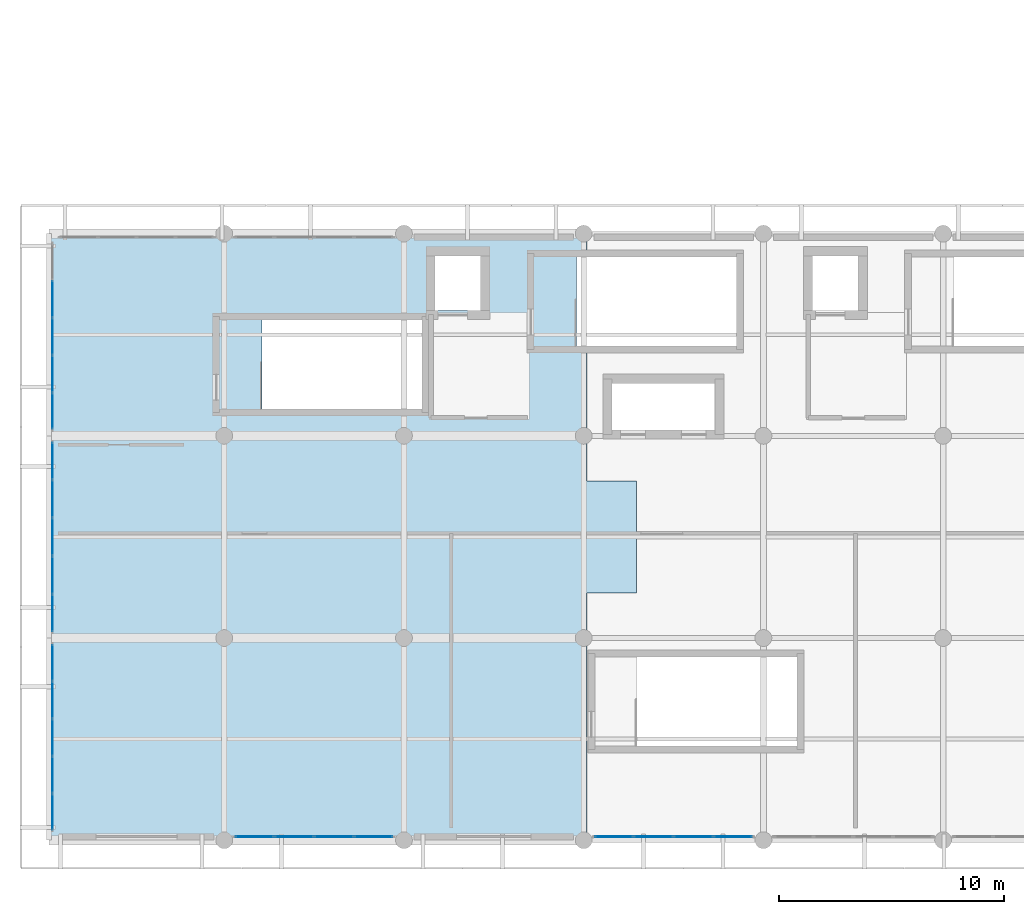
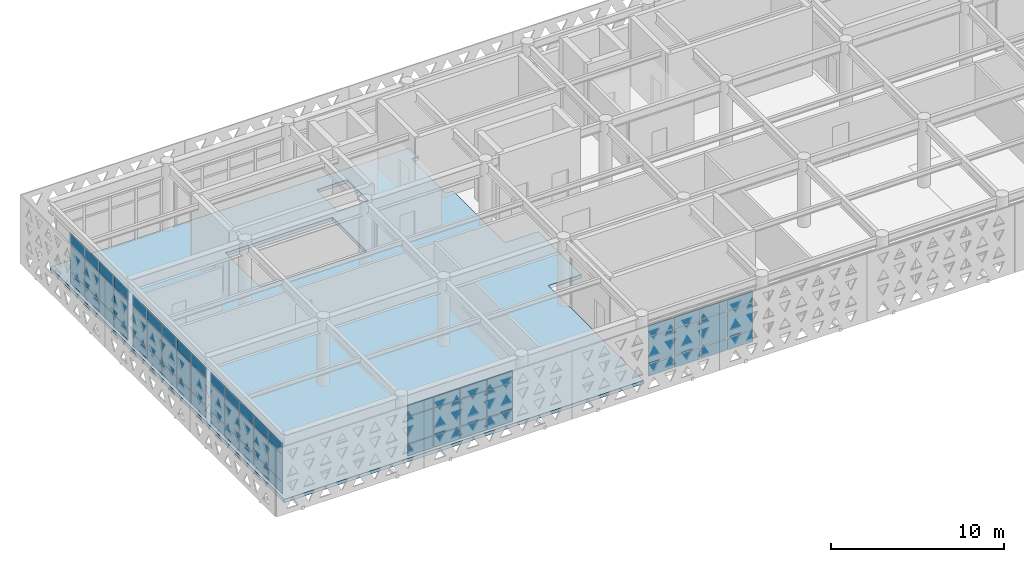
# One storey, part 14 of 26: 66 plates, 1 slab, 5 elements without a shape of their own.
"""IFC4 building model written with IfcOpenShell, lengths in metres."""

from ifc_helpers import new_model, si_unit, direction, frame, origin, origin_2d, place, context, subcontext, project, spatial, polyline, rectangle, outline, extrude, material, layer, layer_set, type_object, element, aggregate, save


model = new_model("IFC4")

# Units and contexts
model_context = context("Model", 3, precision=1e-05, world=origin(), true_north=direction((0.0, 1.0)))
body_context = subcontext(model_context, "Body", "Model", "MODEL_VIEW")
ifc_project = project(units=[si_unit("LENGTHUNIT", "METRE"), si_unit("AREAUNIT", "SQUARE_METRE"), si_unit("VOLUMEUNIT", "CUBIC_METRE"), si_unit("PLANEANGLEUNIT", "RADIAN"), si_unit("MASSUNIT", "GRAM", prefix="KILO")], contexts=[model_context])

# Site, building, storey
site_placement = place(None, origin())
site = spatial("IfcSite", under=ifc_project, at=site_placement, CompositionType="ELEMENT")
building_placement = place(site_placement, origin())
building = spatial("IfcBuilding", under=site, at=building_placement, Name="Tlacozan Convention Centre", CompositionType="ELEMENT")
storey_placement = place(building_placement, frame((0.0, 0.0, 21.0)))
storey = spatial("IfcBuildingStorey", under=building, at=storey_placement, Name="L04", CompositionType="ELEMENT", Elevation=21.0)

# Slab
ifc_material_1 = material(Name="Concrete C40/50", Category="concrete")
ifc_layer_1 = layer(ifc_material_1, 0.239990234375)
ifc_layer_set_1 = layer_set([ifc_layer_1], Name="Concrete C40/50")
slab_type = type_object("IfcSlabType", Name="Belvedere Congress Floor Slab 240", PredefinedType="FLOOR", material=ifc_layer_set_1)
slab_placement = place(storey_placement, frame((0.0, 0.0, -0.239990234375)))
element("IfcSlab", 1, at=slab_placement, inside=storey, type_object=slab_type, Name="L04 Belvedere Congress Floor Slab 240 84", PredefinedType="FLOOR", context=body_context, shape_type="SweptSolid", body=[
    extrude(outline(polyline([(0.199951171875, 0.0), (0.199951171875, 27.0), (24.14990234375, 27.0), (24.14990234375, 25.9599609375), (23.679931640625, 25.9599609375), (23.679931640625, 22.0), (24.14990234375, 22.0), (24.14990234375, 16.0), (26.35009765625, 16.0), (26.35009765625, 11.0), (24.14990234375, 11.0), (24.14990234375, 0.0), (0.199951171875, 0.0)]), holes=[polyline([(16.800048828125, 23.159912109375), (9.679931640625, 23.159912109375), (9.679931640625, 19.199951171875), (16.800048828125, 19.199951171875), (16.800048828125, 23.159912109375)]), polyline([(19.419921875, 26.02001953125), (17.3798828125, 26.02001953125), (17.3798828125, 23.580078125), (19.419921875, 23.580078125), (19.419921875, 26.02001953125)])]), origin(), (0.0, 0.0, 1.0), 0.239990234375),
])

# Curtain wall, plates
ifc_material_2 = material(Name="Dark Bronze Anodised Aluminium", Category="aluminium")
ifc_layer_2 = layer(ifc_material_2, 0.159912109375)
ifc_layer_set_2 = layer_set([ifc_layer_2], Name="Dark Bronze Anodised Aluminium")
curtain_wall_type_1 = type_object("IfcCurtainWallType", Name="Unitised Congress Gable End CW06", PredefinedType="NOTDEFINED", material=ifc_layer_set_2)
curtain_wall_1_placement = place(storey_placement, origin())
curtain_wall_1 = element("IfcCurtainWall", 2, at=curtain_wall_1_placement, inside=storey, type_object=curtain_wall_type_1, Name="L04 CW-06 Run 138", PredefinedType="NOTDEFINED")
ifc_material_3 = material(Name="Solar Control Double Low-E Argon Glazing", Category="glass")
ifc_layer_3 = layer(ifc_material_3, 0.02001953125)
ifc_layer_set_3 = layer_set([ifc_layer_3], Name="Solar Control Double Low-E Argon Glazing")
plate_type_1 = type_object("IfcPlateType", Name="Double Low-E Glazed CW Panel 20", PredefinedType="CURTAIN_PANEL", material=ifc_layer_set_3)
plate_1_placement = place(storey_placement, frame((0.360107421875, 1.259033203125, 0.06005859375), z_axis=(0.0, 0.0, 1.0), x_axis=(0.0, 1.0, 0.0)))
plate_1 = element("IfcPlate", 3, at=plate_1_placement, type_object=plate_type_1, Name="CW-06 panel 1.1", PredefinedType="CURTAIN_PANEL", context=body_context, shape_type="SweptSolid", body=[
    extrude(rectangle(XDim=1.577880859375, YDim=0.02001953125, at=origin_2d()), origin(), (0.0, 0.0, 1.0), 0.81005859375),
])
plate_2_placement = place(storey_placement, frame((0.360107421875, 1.259033203125, 0.929931640625), z_axis=(0.0, 0.0, 1.0), x_axis=(0.0, 1.0, 0.0)))
plate_2 = element("IfcPlate", 4, at=plate_2_placement, type_object=plate_type_1, Name="CW-06 panel 1.2", PredefinedType="CURTAIN_PANEL", context=body_context, shape_type="SweptSolid", body=[
    extrude(rectangle(XDim=1.577880859375, YDim=0.02001953125, at=origin_2d()), origin(), (0.0, 0.0, 1.0), 1.8701171875),
])
plate_3_placement = place(storey_placement, frame((0.360107421875, 1.259033203125, 2.85986328125), z_axis=(0.0, 0.0, 1.0), x_axis=(0.0, 1.0, 0.0)))
plate_3 = element("IfcPlate", 5, at=plate_3_placement, type_object=plate_type_1, Name="CW-06 panel 1.3", PredefinedType="CURTAIN_PANEL", context=body_context, shape_type="SweptSolid", body=[
    extrude(rectangle(XDim=1.577880859375, YDim=0.02001953125, at=origin_2d()), origin(), (0.0, 0.0, 1.0), 0.760009765625),
])
plate_4_placement = place(storey_placement, frame((0.360107421875, 2.912109375, 0.06005859375), z_axis=(0.0, 0.0, 1.0), x_axis=(0.0, 1.0, 0.0)))
plate_4 = element("IfcPlate", 6, at=plate_4_placement, type_object=plate_type_1, Name="CW-06 panel 2.1", PredefinedType="CURTAIN_PANEL", context=body_context, shape_type="SweptSolid", body=[
    extrude(rectangle(XDim=1.60791015625, YDim=0.02001953125, at=origin_2d()), origin(), (0.0, 0.0, 1.0), 0.81005859375),
])
plate_5_placement = place(storey_placement, frame((0.360107421875, 2.912109375, 0.929931640625), z_axis=(0.0, 0.0, 1.0), x_axis=(0.0, 1.0, 0.0)))
plate_5 = element("IfcPlate", 7, at=plate_5_placement, type_object=plate_type_1, Name="CW-06 panel 2.2", PredefinedType="CURTAIN_PANEL", context=body_context, shape_type="SweptSolid", body=[
    extrude(rectangle(XDim=1.60791015625, YDim=0.02001953125, at=origin_2d()), origin(), (0.0, 0.0, 1.0), 1.8701171875),
])
plate_6_placement = place(storey_placement, frame((0.360107421875, 2.912109375, 2.85986328125), z_axis=(0.0, 0.0, 1.0), x_axis=(0.0, 1.0, 0.0)))
plate_6 = element("IfcPlate", 8, at=plate_6_placement, type_object=plate_type_1, Name="CW-06 panel 2.3", PredefinedType="CURTAIN_PANEL", context=body_context, shape_type="SweptSolid", body=[
    extrude(rectangle(XDim=1.60791015625, YDim=0.02001953125, at=origin_2d()), origin(), (0.0, 0.0, 1.0), 0.760009765625),
])
plate_7_placement = place(storey_placement, frame((0.360107421875, 4.580078125, 0.06005859375), z_axis=(0.0, 0.0, 1.0), x_axis=(0.0, 1.0, 0.0)))
plate_7 = element("IfcPlate", 9, at=plate_7_placement, type_object=plate_type_1, Name="CW-06 panel 3.1", PredefinedType="CURTAIN_PANEL", context=body_context, shape_type="SweptSolid", body=[
    extrude(rectangle(XDim=1.60791015625, YDim=0.02001953125, at=origin_2d()), origin(), (0.0, 0.0, 1.0), 0.81005859375),
])
plate_8_placement = place(storey_placement, frame((0.360107421875, 4.580078125, 0.929931640625), z_axis=(0.0, 0.0, 1.0), x_axis=(0.0, 1.0, 0.0)))
plate_8 = element("IfcPlate", 10, at=plate_8_placement, type_object=plate_type_1, Name="CW-06 panel 3.2", PredefinedType="CURTAIN_PANEL", context=body_context, shape_type="SweptSolid", body=[
    extrude(rectangle(XDim=1.60791015625, YDim=0.02001953125, at=origin_2d()), origin(), (0.0, 0.0, 1.0), 1.8701171875),
])
plate_9_placement = place(storey_placement, frame((0.360107421875, 4.580078125, 2.85986328125), z_axis=(0.0, 0.0, 1.0), x_axis=(0.0, 1.0, 0.0)))
plate_9 = element("IfcPlate", 11, at=plate_9_placement, type_object=plate_type_1, Name="CW-06 panel 3.3", PredefinedType="CURTAIN_PANEL", context=body_context, shape_type="SweptSolid", body=[
    extrude(rectangle(XDim=1.60791015625, YDim=0.02001953125, at=origin_2d()), origin(), (0.0, 0.0, 1.0), 0.760009765625),
])
plate_10_placement = place(storey_placement, frame((0.360107421875, 6.248046875, 0.06005859375), z_axis=(0.0, 0.0, 1.0), x_axis=(0.0, 1.0, 0.0)))
plate_10 = element("IfcPlate", 12, at=plate_10_placement, type_object=plate_type_1, Name="CW-06 panel 4.1", PredefinedType="CURTAIN_PANEL", context=body_context, shape_type="SweptSolid", body=[
    extrude(rectangle(XDim=1.60791015625, YDim=0.02001953125, at=origin_2d()), origin(), (0.0, 0.0, 1.0), 0.81005859375),
])
plate_11_placement = place(storey_placement, frame((0.360107421875, 6.248046875, 0.929931640625), z_axis=(0.0, 0.0, 1.0), x_axis=(0.0, 1.0, 0.0)))
plate_11 = element("IfcPlate", 13, at=plate_11_placement, type_object=plate_type_1, Name="CW-06 panel 4.2", PredefinedType="CURTAIN_PANEL", context=body_context, shape_type="SweptSolid", body=[
    extrude(rectangle(XDim=1.60791015625, YDim=0.02001953125, at=origin_2d()), origin(), (0.0, 0.0, 1.0), 1.8701171875),
])
plate_12_placement = place(storey_placement, frame((0.360107421875, 6.248046875, 2.85986328125), z_axis=(0.0, 0.0, 1.0), x_axis=(0.0, 1.0, 0.0)))
plate_12 = element("IfcPlate", 14, at=plate_12_placement, type_object=plate_type_1, Name="CW-06 panel 4.3", PredefinedType="CURTAIN_PANEL", context=body_context, shape_type="SweptSolid", body=[
    extrude(rectangle(XDim=1.60791015625, YDim=0.02001953125, at=origin_2d()), origin(), (0.0, 0.0, 1.0), 0.760009765625),
])
plate_13_placement = place(storey_placement, frame((0.360107421875, 7.90087890625, 0.06005859375), z_axis=(0.0, 0.0, 1.0), x_axis=(0.0, 1.0, 0.0)))
plate_13 = element("IfcPlate", 15, at=plate_13_placement, type_object=plate_type_1, Name="CW-06 panel 5.1", PredefinedType="CURTAIN_PANEL", context=body_context, shape_type="SweptSolid", body=[
    extrude(rectangle(XDim=1.577880859375, YDim=0.02001953125, at=origin_2d()), origin(), (0.0, 0.0, 1.0), 0.81005859375),
])
plate_14_placement = place(storey_placement, frame((0.360107421875, 7.90087890625, 0.929931640625), z_axis=(0.0, 0.0, 1.0), x_axis=(0.0, 1.0, 0.0)))
plate_14 = element("IfcPlate", 16, at=plate_14_placement, type_object=plate_type_1, Name="CW-06 panel 5.2", PredefinedType="CURTAIN_PANEL", context=body_context, shape_type="SweptSolid", body=[
    extrude(rectangle(XDim=1.577880859375, YDim=0.02001953125, at=origin_2d()), origin(), (0.0, 0.0, 1.0), 1.8701171875),
])
plate_15_placement = place(storey_placement, frame((0.360107421875, 7.90087890625, 2.85986328125), z_axis=(0.0, 0.0, 1.0), x_axis=(0.0, 1.0, 0.0)))
plate_15 = element("IfcPlate", 17, at=plate_15_placement, type_object=plate_type_1, Name="CW-06 panel 5.3", PredefinedType="CURTAIN_PANEL", context=body_context, shape_type="SweptSolid", body=[
    extrude(rectangle(XDim=1.577880859375, YDim=0.02001953125, at=origin_2d()), origin(), (0.0, 0.0, 1.0), 0.760009765625),
])
aggregate(curtain_wall_1, [plate_1, plate_2, plate_3, plate_4, plate_5, plate_6, plate_7, plate_8, plate_9, plate_10, plate_11, plate_12, plate_13, plate_14, plate_15])

curtain_wall_2_placement = place(storey_placement, origin())
curtain_wall_2 = element("IfcCurtainWall", 18, at=curtain_wall_2_placement, inside=storey, type_object=curtain_wall_type_1, Name="L04 CW-06 Run 139", PredefinedType="NOTDEFINED")
plate_16_placement = place(storey_placement, frame((0.360107421875, 10.114990234375, 0.06005859375), z_axis=(0.0, 0.0, 1.0), x_axis=(0.0, 1.0, 0.0)))
plate_16 = element("IfcPlate", 19, at=plate_16_placement, type_object=plate_type_1, Name="CW-06 panel 1.1", PredefinedType="CURTAIN_PANEL", context=body_context, shape_type="SweptSolid", body=[
    extrude(rectangle(XDim=1.610107421875, YDim=0.02001953125, at=origin_2d()), origin(), (0.0, 0.0, 1.0), 0.81005859375),
])
plate_17_placement = place(storey_placement, frame((0.360107421875, 10.114990234375, 0.929931640625), z_axis=(0.0, 0.0, 1.0), x_axis=(0.0, 1.0, 0.0)))
plate_17 = element("IfcPlate", 20, at=plate_17_placement, type_object=plate_type_1, Name="CW-06 panel 1.2", PredefinedType="CURTAIN_PANEL", context=body_context, shape_type="SweptSolid", body=[
    extrude(rectangle(XDim=1.610107421875, YDim=0.02001953125, at=origin_2d()), origin(), (0.0, 0.0, 1.0), 1.8701171875),
])
plate_18_placement = place(storey_placement, frame((0.360107421875, 10.114990234375, 2.85986328125), z_axis=(0.0, 0.0, 1.0), x_axis=(0.0, 1.0, 0.0)))
plate_18 = element("IfcPlate", 21, at=plate_18_placement, type_object=plate_type_1, Name="CW-06 panel 1.3", PredefinedType="CURTAIN_PANEL", context=body_context, shape_type="SweptSolid", body=[
    extrude(rectangle(XDim=1.610107421875, YDim=0.02001953125, at=origin_2d()), origin(), (0.0, 0.0, 1.0), 0.760009765625),
])
plate_19_placement = place(storey_placement, frame((0.360107421875, 11.800048828125, 0.06005859375), z_axis=(0.0, 0.0, 1.0), x_axis=(0.0, 1.0, 0.0)))
plate_19 = element("IfcPlate", 22, at=plate_19_placement, type_object=plate_type_1, Name="CW-06 panel 2.1", PredefinedType="CURTAIN_PANEL", context=body_context, shape_type="SweptSolid", body=[
    extrude(rectangle(XDim=1.639892578125, YDim=0.02001953125, at=origin_2d()), origin(), (0.0, 0.0, 1.0), 0.81005859375),
])
plate_20_placement = place(storey_placement, frame((0.360107421875, 11.800048828125, 0.929931640625), z_axis=(0.0, 0.0, 1.0), x_axis=(0.0, 1.0, 0.0)))
plate_20 = element("IfcPlate", 23, at=plate_20_placement, type_object=plate_type_1, Name="CW-06 panel 2.2", PredefinedType="CURTAIN_PANEL", context=body_context, shape_type="SweptSolid", body=[
    extrude(rectangle(XDim=1.639892578125, YDim=0.02001953125, at=origin_2d()), origin(), (0.0, 0.0, 1.0), 1.8701171875),
])
plate_21_placement = place(storey_placement, frame((0.360107421875, 11.800048828125, 2.85986328125), z_axis=(0.0, 0.0, 1.0), x_axis=(0.0, 1.0, 0.0)))
plate_21 = element("IfcPlate", 24, at=plate_21_placement, type_object=plate_type_1, Name="CW-06 panel 2.3", PredefinedType="CURTAIN_PANEL", context=body_context, shape_type="SweptSolid", body=[
    extrude(rectangle(XDim=1.639892578125, YDim=0.02001953125, at=origin_2d()), origin(), (0.0, 0.0, 1.0), 0.760009765625),
])
plate_22_placement = place(storey_placement, frame((0.360107421875, 13.5, 0.06005859375), z_axis=(0.0, 0.0, 1.0), x_axis=(0.0, 1.0, 0.0)))
plate_22 = element("IfcPlate", 25, at=plate_22_placement, type_object=plate_type_1, Name="CW-06 panel 3.1", PredefinedType="CURTAIN_PANEL", context=body_context, shape_type="SweptSolid", body=[
    extrude(rectangle(XDim=1.639892578125, YDim=0.02001953125, at=origin_2d()), origin(), (0.0, 0.0, 1.0), 0.81005859375),
])
plate_23_placement = place(storey_placement, frame((0.360107421875, 13.5, 0.929931640625), z_axis=(0.0, 0.0, 1.0), x_axis=(0.0, 1.0, 0.0)))
plate_23 = element("IfcPlate", 26, at=plate_23_placement, type_object=plate_type_1, Name="CW-06 panel 3.2", PredefinedType="CURTAIN_PANEL", context=body_context, shape_type="SweptSolid", body=[
    extrude(rectangle(XDim=1.639892578125, YDim=0.02001953125, at=origin_2d()), origin(), (0.0, 0.0, 1.0), 1.8701171875),
])
plate_24_placement = place(storey_placement, frame((0.360107421875, 13.5, 2.85986328125), z_axis=(0.0, 0.0, 1.0), x_axis=(0.0, 1.0, 0.0)))
plate_24 = element("IfcPlate", 27, at=plate_24_placement, type_object=plate_type_1, Name="CW-06 panel 3.3", PredefinedType="CURTAIN_PANEL", context=body_context, shape_type="SweptSolid", body=[
    extrude(rectangle(XDim=1.639892578125, YDim=0.02001953125, at=origin_2d()), origin(), (0.0, 0.0, 1.0), 0.760009765625),
])
plate_25_placement = place(storey_placement, frame((0.360107421875, 15.199951171875, 0.06005859375), z_axis=(0.0, 0.0, 1.0), x_axis=(0.0, 1.0, 0.0)))
plate_25 = element("IfcPlate", 28, at=plate_25_placement, type_object=plate_type_1, Name="CW-06 panel 4.1", PredefinedType="CURTAIN_PANEL", context=body_context, shape_type="SweptSolid", body=[
    extrude(rectangle(XDim=1.639892578125, YDim=0.02001953125, at=origin_2d()), origin(), (0.0, 0.0, 1.0), 0.81005859375),
])
plate_26_placement = place(storey_placement, frame((0.360107421875, 15.199951171875, 0.929931640625), z_axis=(0.0, 0.0, 1.0), x_axis=(0.0, 1.0, 0.0)))
plate_26 = element("IfcPlate", 29, at=plate_26_placement, type_object=plate_type_1, Name="CW-06 panel 4.2", PredefinedType="CURTAIN_PANEL", context=body_context, shape_type="SweptSolid", body=[
    extrude(rectangle(XDim=1.639892578125, YDim=0.02001953125, at=origin_2d()), origin(), (0.0, 0.0, 1.0), 1.8701171875),
])
plate_27_placement = place(storey_placement, frame((0.360107421875, 15.199951171875, 2.85986328125), z_axis=(0.0, 0.0, 1.0), x_axis=(0.0, 1.0, 0.0)))
plate_27 = element("IfcPlate", 30, at=plate_27_placement, type_object=plate_type_1, Name="CW-06 panel 4.3", PredefinedType="CURTAIN_PANEL", context=body_context, shape_type="SweptSolid", body=[
    extrude(rectangle(XDim=1.639892578125, YDim=0.02001953125, at=origin_2d()), origin(), (0.0, 0.0, 1.0), 0.760009765625),
])
plate_28_placement = place(storey_placement, frame((0.360107421875, 16.885009765625, 0.06005859375), z_axis=(0.0, 0.0, 1.0), x_axis=(0.0, 1.0, 0.0)))
plate_28 = element("IfcPlate", 31, at=plate_28_placement, type_object=plate_type_1, Name="CW-06 panel 5.1", PredefinedType="CURTAIN_PANEL", context=body_context, shape_type="SweptSolid", body=[
    extrude(rectangle(XDim=1.610107421875, YDim=0.02001953125, at=origin_2d()), origin(), (0.0, 0.0, 1.0), 0.81005859375),
])
plate_29_placement = place(storey_placement, frame((0.360107421875, 16.885009765625, 0.929931640625), z_axis=(0.0, 0.0, 1.0), x_axis=(0.0, 1.0, 0.0)))
plate_29 = element("IfcPlate", 32, at=plate_29_placement, type_object=plate_type_1, Name="CW-06 panel 5.2", PredefinedType="CURTAIN_PANEL", context=body_context, shape_type="SweptSolid", body=[
    extrude(rectangle(XDim=1.610107421875, YDim=0.02001953125, at=origin_2d()), origin(), (0.0, 0.0, 1.0), 1.8701171875),
])
plate_30_placement = place(storey_placement, frame((0.360107421875, 16.885009765625, 2.85986328125), z_axis=(0.0, 0.0, 1.0), x_axis=(0.0, 1.0, 0.0)))
plate_30 = element("IfcPlate", 33, at=plate_30_placement, type_object=plate_type_1, Name="CW-06 panel 5.3", PredefinedType="CURTAIN_PANEL", context=body_context, shape_type="SweptSolid", body=[
    extrude(rectangle(XDim=1.610107421875, YDim=0.02001953125, at=origin_2d()), origin(), (0.0, 0.0, 1.0), 0.760009765625),
])
aggregate(curtain_wall_2, [plate_16, plate_17, plate_18, plate_19, plate_20, plate_21, plate_22, plate_23, plate_24, plate_25, plate_26, plate_27, plate_28, plate_29, plate_30])

curtain_wall_3_placement = place(storey_placement, origin())
curtain_wall_3 = element("IfcCurtainWall", 34, at=curtain_wall_3_placement, inside=storey, type_object=curtain_wall_type_1, Name="L04 CW-06 Run 140", PredefinedType="NOTDEFINED")
plate_31_placement = place(storey_placement, frame((0.360107421875, 19.09912109375, 0.06005859375), z_axis=(0.0, 0.0, 1.0), x_axis=(0.0, 1.0, 0.0)))
plate_31 = element("IfcPlate", 35, at=plate_31_placement, type_object=plate_type_1, Name="CW-06 panel 1.1", PredefinedType="CURTAIN_PANEL", context=body_context, shape_type="SweptSolid", body=[
    extrude(rectangle(XDim=1.577880859375, YDim=0.02001953125, at=origin_2d()), origin(), (0.0, 0.0, 1.0), 0.81005859375),
])
plate_32_placement = place(storey_placement, frame((0.360107421875, 19.09912109375, 0.929931640625), z_axis=(0.0, 0.0, 1.0), x_axis=(0.0, 1.0, 0.0)))
plate_32 = element("IfcPlate", 36, at=plate_32_placement, type_object=plate_type_1, Name="CW-06 panel 1.2", PredefinedType="CURTAIN_PANEL", context=body_context, shape_type="SweptSolid", body=[
    extrude(rectangle(XDim=1.577880859375, YDim=0.02001953125, at=origin_2d()), origin(), (0.0, 0.0, 1.0), 1.8701171875),
])
plate_33_placement = place(storey_placement, frame((0.360107421875, 19.09912109375, 2.85986328125), z_axis=(0.0, 0.0, 1.0), x_axis=(0.0, 1.0, 0.0)))
plate_33 = element("IfcPlate", 37, at=plate_33_placement, type_object=plate_type_1, Name="CW-06 panel 1.3", PredefinedType="CURTAIN_PANEL", context=body_context, shape_type="SweptSolid", body=[
    extrude(rectangle(XDim=1.577880859375, YDim=0.02001953125, at=origin_2d()), origin(), (0.0, 0.0, 1.0), 0.760009765625),
])
plate_34_placement = place(storey_placement, frame((0.360107421875, 20.751953125, 0.06005859375), z_axis=(0.0, 0.0, 1.0), x_axis=(0.0, 1.0, 0.0)))
plate_34 = element("IfcPlate", 38, at=plate_34_placement, type_object=plate_type_1, Name="CW-06 panel 2.1", PredefinedType="CURTAIN_PANEL", context=body_context, shape_type="SweptSolid", body=[
    extrude(rectangle(XDim=1.60791015625, YDim=0.02001953125, at=origin_2d()), origin(), (0.0, 0.0, 1.0), 0.81005859375),
])
plate_35_placement = place(storey_placement, frame((0.360107421875, 20.751953125, 0.929931640625), z_axis=(0.0, 0.0, 1.0), x_axis=(0.0, 1.0, 0.0)))
plate_35 = element("IfcPlate", 39, at=plate_35_placement, type_object=plate_type_1, Name="CW-06 panel 2.2", PredefinedType="CURTAIN_PANEL", context=body_context, shape_type="SweptSolid", body=[
    extrude(rectangle(XDim=1.60791015625, YDim=0.02001953125, at=origin_2d()), origin(), (0.0, 0.0, 1.0), 1.8701171875),
])
plate_36_placement = place(storey_placement, frame((0.360107421875, 20.751953125, 2.85986328125), z_axis=(0.0, 0.0, 1.0), x_axis=(0.0, 1.0, 0.0)))
plate_36 = element("IfcPlate", 40, at=plate_36_placement, type_object=plate_type_1, Name="CW-06 panel 2.3", PredefinedType="CURTAIN_PANEL", context=body_context, shape_type="SweptSolid", body=[
    extrude(rectangle(XDim=1.60791015625, YDim=0.02001953125, at=origin_2d()), origin(), (0.0, 0.0, 1.0), 0.760009765625),
])
plate_37_placement = place(storey_placement, frame((0.360107421875, 22.419921875, 0.06005859375), z_axis=(0.0, 0.0, 1.0), x_axis=(0.0, 1.0, 0.0)))
plate_37 = element("IfcPlate", 41, at=plate_37_placement, type_object=plate_type_1, Name="CW-06 panel 3.1", PredefinedType="CURTAIN_PANEL", context=body_context, shape_type="SweptSolid", body=[
    extrude(rectangle(XDim=1.60791015625, YDim=0.02001953125, at=origin_2d()), origin(), (0.0, 0.0, 1.0), 0.81005859375),
])
plate_38_placement = place(storey_placement, frame((0.360107421875, 22.419921875, 0.929931640625), z_axis=(0.0, 0.0, 1.0), x_axis=(0.0, 1.0, 0.0)))
plate_38 = element("IfcPlate", 42, at=plate_38_placement, type_object=plate_type_1, Name="CW-06 panel 3.2", PredefinedType="CURTAIN_PANEL", context=body_context, shape_type="SweptSolid", body=[
    extrude(rectangle(XDim=1.60791015625, YDim=0.02001953125, at=origin_2d()), origin(), (0.0, 0.0, 1.0), 1.8701171875),
])
plate_39_placement = place(storey_placement, frame((0.360107421875, 22.419921875, 2.85986328125), z_axis=(0.0, 0.0, 1.0), x_axis=(0.0, 1.0, 0.0)))
plate_39 = element("IfcPlate", 43, at=plate_39_placement, type_object=plate_type_1, Name="CW-06 panel 3.3", PredefinedType="CURTAIN_PANEL", context=body_context, shape_type="SweptSolid", body=[
    extrude(rectangle(XDim=1.60791015625, YDim=0.02001953125, at=origin_2d()), origin(), (0.0, 0.0, 1.0), 0.760009765625),
])
plate_40_placement = place(storey_placement, frame((0.360107421875, 24.087890625, 0.06005859375), z_axis=(0.0, 0.0, 1.0), x_axis=(0.0, 1.0, 0.0)))
plate_40 = element("IfcPlate", 44, at=plate_40_placement, type_object=plate_type_1, Name="CW-06 panel 4.1", PredefinedType="CURTAIN_PANEL", context=body_context, shape_type="SweptSolid", body=[
    extrude(rectangle(XDim=1.60791015625, YDim=0.02001953125, at=origin_2d()), origin(), (0.0, 0.0, 1.0), 0.81005859375),
])
plate_41_placement = place(storey_placement, frame((0.360107421875, 24.087890625, 0.929931640625), z_axis=(0.0, 0.0, 1.0), x_axis=(0.0, 1.0, 0.0)))
plate_41 = element("IfcPlate", 45, at=plate_41_placement, type_object=plate_type_1, Name="CW-06 panel 4.2", PredefinedType="CURTAIN_PANEL", context=body_context, shape_type="SweptSolid", body=[
    extrude(rectangle(XDim=1.60791015625, YDim=0.02001953125, at=origin_2d()), origin(), (0.0, 0.0, 1.0), 1.8701171875),
])
plate_42_placement = place(storey_placement, frame((0.360107421875, 24.087890625, 2.85986328125), z_axis=(0.0, 0.0, 1.0), x_axis=(0.0, 1.0, 0.0)))
plate_42 = element("IfcPlate", 46, at=plate_42_placement, type_object=plate_type_1, Name="CW-06 panel 4.3", PredefinedType="CURTAIN_PANEL", context=body_context, shape_type="SweptSolid", body=[
    extrude(rectangle(XDim=1.60791015625, YDim=0.02001953125, at=origin_2d()), origin(), (0.0, 0.0, 1.0), 0.760009765625),
])
aggregate(curtain_wall_3, [plate_31, plate_32, plate_33, plate_34, plate_35, plate_36, plate_37, plate_38, plate_39, plate_40, plate_41, plate_42])

ifc_layer_4 = layer(ifc_material_2, 0.159912109375)
ifc_layer_set_4 = layer_set([ifc_layer_4], Name="Dark Bronze Anodised Aluminium")
curtain_wall_type_2 = type_object("IfcCurtainWallType", Name="Unitised Congress L04 South CW05", PredefinedType="NOTDEFINED", material=ifc_layer_set_4)
curtain_wall_4_placement = place(storey_placement, origin())
curtain_wall_4 = element("IfcCurtainWall", 47, at=curtain_wall_4_placement, inside=storey, type_object=curtain_wall_type_2, Name="L04 CW-05 Run 124", PredefinedType="NOTDEFINED")
ifc_layer_5 = layer(ifc_material_3, 0.0400390625)
ifc_layer_set_5 = layer_set([ifc_layer_5], Name="Solar Control Double Low-E Argon Glazing")
plate_type_2 = type_object("IfcPlateType", Name="Insulated Spandrel CW Panel 40", PredefinedType="CURTAIN_PANEL", material=ifc_layer_set_5)
plate_43_placement = place(storey_placement, frame((9.353759765625, 0.159912109375, 0.06494140625), z_axis=(0.0, 0.0, 1.0), x_axis=(1.0, 0.0, 0.0)))
plate_43 = element("IfcPlate", 48, at=plate_43_placement, type_object=plate_type_2, Name="CW-05 panel 1.1", PredefinedType="CURTAIN_PANEL", context=body_context, shape_type="SweptSolid", body=[
    extrude(rectangle(XDim=1.677490234375, YDim=0.0400390625, at=origin_2d()), origin(), (0.0, 0.0, 1.0), 0.802490234375),
])
plate_44_placement = place(storey_placement, frame((9.353759765625, 0.159912109375, 0.9326171875), z_axis=(0.0, 0.0, 1.0), x_axis=(1.0, 0.0, 0.0)))
plate_44 = element("IfcPlate", 49, at=plate_44_placement, type_object=plate_type_2, Name="CW-05 panel 1.2", PredefinedType="CURTAIN_PANEL", context=body_context, shape_type="SweptSolid", body=[
    extrude(rectangle(XDim=1.677490234375, YDim=0.0400390625, at=origin_2d()), origin(), (0.0, 0.0, 1.0), 1.864990234375),
])
plate_45_placement = place(storey_placement, frame((9.353759765625, 0.159912109375, 2.862548828125), z_axis=(0.0, 0.0, 1.0), x_axis=(1.0, 0.0, 0.0)))
plate_45 = element("IfcPlate", 50, at=plate_45_placement, type_object=plate_type_2, Name="CW-05 panel 1.3", PredefinedType="CURTAIN_PANEL", context=body_context, shape_type="SweptSolid", body=[
    extrude(rectangle(XDim=1.677490234375, YDim=0.0400390625, at=origin_2d()), origin(), (0.0, 0.0, 1.0), 0.75244140625),
])
plate_46_placement = place(storey_placement, frame((11.112548828125, 0.159912109375, 0.06494140625), z_axis=(0.0, 0.0, 1.0), x_axis=(1.0, 0.0, 0.0)))
plate_46 = element("IfcPlate", 51, at=plate_46_placement, type_object=plate_type_2, Name="CW-05 panel 2.1", PredefinedType="CURTAIN_PANEL", context=body_context, shape_type="SweptSolid", body=[
    extrude(rectangle(XDim=1.7099609375, YDim=0.0400390625, at=origin_2d()), origin(), (0.0, 0.0, 1.0), 0.802490234375),
])
plate_47_placement = place(storey_placement, frame((11.112548828125, 0.159912109375, 0.9326171875), z_axis=(0.0, 0.0, 1.0), x_axis=(1.0, 0.0, 0.0)))
plate_47 = element("IfcPlate", 52, at=plate_47_placement, type_object=plate_type_2, Name="CW-05 panel 2.2", PredefinedType="CURTAIN_PANEL", context=body_context, shape_type="SweptSolid", body=[
    extrude(rectangle(XDim=1.7099609375, YDim=0.0400390625, at=origin_2d()), origin(), (0.0, 0.0, 1.0), 1.864990234375),
])
plate_48_placement = place(storey_placement, frame((11.112548828125, 0.159912109375, 2.862548828125), z_axis=(0.0, 0.0, 1.0), x_axis=(1.0, 0.0, 0.0)))
plate_48 = element("IfcPlate", 53, at=plate_48_placement, type_object=plate_type_2, Name="CW-05 panel 2.3", PredefinedType="CURTAIN_PANEL", context=body_context, shape_type="SweptSolid", body=[
    extrude(rectangle(XDim=1.7099609375, YDim=0.0400390625, at=origin_2d()), origin(), (0.0, 0.0, 1.0), 0.75244140625),
])
plate_49_placement = place(storey_placement, frame((12.887451171875, 0.159912109375, 0.06494140625), z_axis=(0.0, 0.0, 1.0), x_axis=(1.0, 0.0, 0.0)))
plate_49 = element("IfcPlate", 54, at=plate_49_placement, type_object=plate_type_2, Name="CW-05 panel 3.1", PredefinedType="CURTAIN_PANEL", context=body_context, shape_type="SweptSolid", body=[
    extrude(rectangle(XDim=1.7099609375, YDim=0.0400390625, at=origin_2d()), origin(), (0.0, 0.0, 1.0), 0.802490234375),
])
plate_50_placement = place(storey_placement, frame((12.887451171875, 0.159912109375, 0.9326171875), z_axis=(0.0, 0.0, 1.0), x_axis=(1.0, 0.0, 0.0)))
plate_50 = element("IfcPlate", 55, at=plate_50_placement, type_object=plate_type_2, Name="CW-05 panel 3.2", PredefinedType="CURTAIN_PANEL", context=body_context, shape_type="SweptSolid", body=[
    extrude(rectangle(XDim=1.7099609375, YDim=0.0400390625, at=origin_2d()), origin(), (0.0, 0.0, 1.0), 1.864990234375),
])
plate_51_placement = place(storey_placement, frame((12.887451171875, 0.159912109375, 2.862548828125), z_axis=(0.0, 0.0, 1.0), x_axis=(1.0, 0.0, 0.0)))
plate_51 = element("IfcPlate", 56, at=plate_51_placement, type_object=plate_type_2, Name="CW-05 panel 3.3", PredefinedType="CURTAIN_PANEL", context=body_context, shape_type="SweptSolid", body=[
    extrude(rectangle(XDim=1.7099609375, YDim=0.0400390625, at=origin_2d()), origin(), (0.0, 0.0, 1.0), 0.75244140625),
])
plate_52_placement = place(storey_placement, frame((14.646240234375, 0.159912109375, 0.06494140625), z_axis=(0.0, 0.0, 1.0), x_axis=(1.0, 0.0, 0.0)))
plate_52 = element("IfcPlate", 57, at=plate_52_placement, type_object=plate_type_2, Name="CW-05 panel 4.1", PredefinedType="CURTAIN_PANEL", context=body_context, shape_type="SweptSolid", body=[
    extrude(rectangle(XDim=1.677490234375, YDim=0.0400390625, at=origin_2d()), origin(), (0.0, 0.0, 1.0), 0.802490234375),
])
plate_53_placement = place(storey_placement, frame((14.646240234375, 0.159912109375, 0.9326171875), z_axis=(0.0, 0.0, 1.0), x_axis=(1.0, 0.0, 0.0)))
plate_53 = element("IfcPlate", 58, at=plate_53_placement, type_object=plate_type_2, Name="CW-05 panel 4.2", PredefinedType="CURTAIN_PANEL", context=body_context, shape_type="SweptSolid", body=[
    extrude(rectangle(XDim=1.677490234375, YDim=0.0400390625, at=origin_2d()), origin(), (0.0, 0.0, 1.0), 1.864990234375),
])
plate_54_placement = place(storey_placement, frame((14.646240234375, 0.159912109375, 2.862548828125), z_axis=(0.0, 0.0, 1.0), x_axis=(1.0, 0.0, 0.0)))
plate_54 = element("IfcPlate", 59, at=plate_54_placement, type_object=plate_type_2, Name="CW-05 panel 4.3", PredefinedType="CURTAIN_PANEL", context=body_context, shape_type="SweptSolid", body=[
    extrude(rectangle(XDim=1.677490234375, YDim=0.0400390625, at=origin_2d()), origin(), (0.0, 0.0, 1.0), 0.75244140625),
])
aggregate(curtain_wall_4, [plate_43, plate_44, plate_45, plate_46, plate_47, plate_48, plate_49, plate_50, plate_51, plate_52, plate_53, plate_54])

curtain_wall_5_placement = place(storey_placement, origin())
curtain_wall_5 = element("IfcCurtainWall", 60, at=curtain_wall_5_placement, inside=storey, type_object=curtain_wall_type_2, Name="L04 CW-05 Run 125", PredefinedType="NOTDEFINED")
plate_55_placement = place(storey_placement, frame((25.353759765625, 0.159912109375, 0.06494140625), z_axis=(0.0, 0.0, 1.0), x_axis=(1.0, 0.0, 0.0)))
plate_55 = element("IfcPlate", 61, at=plate_55_placement, type_object=plate_type_2, Name="CW-05 panel 1.1", PredefinedType="CURTAIN_PANEL", context=body_context, shape_type="SweptSolid", body=[
    extrude(rectangle(XDim=1.677490234375, YDim=0.0400390625, at=origin_2d()), origin(), (0.0, 0.0, 1.0), 0.802490234375),
])
plate_56_placement = place(storey_placement, frame((25.353759765625, 0.159912109375, 0.9326171875), z_axis=(0.0, 0.0, 1.0), x_axis=(1.0, 0.0, 0.0)))
plate_56 = element("IfcPlate", 62, at=plate_56_placement, type_object=plate_type_2, Name="CW-05 panel 1.2", PredefinedType="CURTAIN_PANEL", context=body_context, shape_type="SweptSolid", body=[
    extrude(rectangle(XDim=1.677490234375, YDim=0.0400390625, at=origin_2d()), origin(), (0.0, 0.0, 1.0), 1.864990234375),
])
plate_57_placement = place(storey_placement, frame((25.353759765625, 0.159912109375, 2.862548828125), z_axis=(0.0, 0.0, 1.0), x_axis=(1.0, 0.0, 0.0)))
plate_57 = element("IfcPlate", 63, at=plate_57_placement, type_object=plate_type_2, Name="CW-05 panel 1.3", PredefinedType="CURTAIN_PANEL", context=body_context, shape_type="SweptSolid", body=[
    extrude(rectangle(XDim=1.677490234375, YDim=0.0400390625, at=origin_2d()), origin(), (0.0, 0.0, 1.0), 0.75244140625),
])
plate_58_placement = place(storey_placement, frame((27.112548828125, 0.159912109375, 0.06494140625), z_axis=(0.0, 0.0, 1.0), x_axis=(1.0, 0.0, 0.0)))
plate_58 = element("IfcPlate", 64, at=plate_58_placement, type_object=plate_type_2, Name="CW-05 panel 2.1", PredefinedType="CURTAIN_PANEL", context=body_context, shape_type="SweptSolid", body=[
    extrude(rectangle(XDim=1.7099609375, YDim=0.0400390625, at=origin_2d()), origin(), (0.0, 0.0, 1.0), 0.802490234375),
])
plate_59_placement = place(storey_placement, frame((27.112548828125, 0.159912109375, 0.9326171875), z_axis=(0.0, 0.0, 1.0), x_axis=(1.0, 0.0, 0.0)))
plate_59 = element("IfcPlate", 65, at=plate_59_placement, type_object=plate_type_2, Name="CW-05 panel 2.2", PredefinedType="CURTAIN_PANEL", context=body_context, shape_type="SweptSolid", body=[
    extrude(rectangle(XDim=1.7099609375, YDim=0.0400390625, at=origin_2d()), origin(), (0.0, 0.0, 1.0), 1.864990234375),
])
plate_60_placement = place(storey_placement, frame((27.112548828125, 0.159912109375, 2.862548828125), z_axis=(0.0, 0.0, 1.0), x_axis=(1.0, 0.0, 0.0)))
plate_60 = element("IfcPlate", 66, at=plate_60_placement, type_object=plate_type_2, Name="CW-05 panel 2.3", PredefinedType="CURTAIN_PANEL", context=body_context, shape_type="SweptSolid", body=[
    extrude(rectangle(XDim=1.7099609375, YDim=0.0400390625, at=origin_2d()), origin(), (0.0, 0.0, 1.0), 0.75244140625),
])
plate_61_placement = place(storey_placement, frame((28.887451171875, 0.159912109375, 0.06494140625), z_axis=(0.0, 0.0, 1.0), x_axis=(1.0, 0.0, 0.0)))
plate_61 = element("IfcPlate", 67, at=plate_61_placement, type_object=plate_type_2, Name="CW-05 panel 3.1", PredefinedType="CURTAIN_PANEL", context=body_context, shape_type="SweptSolid", body=[
    extrude(rectangle(XDim=1.7099609375, YDim=0.0400390625, at=origin_2d()), origin(), (0.0, 0.0, 1.0), 0.802490234375),
])
plate_62_placement = place(storey_placement, frame((28.887451171875, 0.159912109375, 0.9326171875), z_axis=(0.0, 0.0, 1.0), x_axis=(1.0, 0.0, 0.0)))
plate_62 = element("IfcPlate", 68, at=plate_62_placement, type_object=plate_type_2, Name="CW-05 panel 3.2", PredefinedType="CURTAIN_PANEL", context=body_context, shape_type="SweptSolid", body=[
    extrude(rectangle(XDim=1.7099609375, YDim=0.0400390625, at=origin_2d()), origin(), (0.0, 0.0, 1.0), 1.864990234375),
])
plate_63_placement = place(storey_placement, frame((28.887451171875, 0.159912109375, 2.862548828125), z_axis=(0.0, 0.0, 1.0), x_axis=(1.0, 0.0, 0.0)))
plate_63 = element("IfcPlate", 69, at=plate_63_placement, type_object=plate_type_2, Name="CW-05 panel 3.3", PredefinedType="CURTAIN_PANEL", context=body_context, shape_type="SweptSolid", body=[
    extrude(rectangle(XDim=1.7099609375, YDim=0.0400390625, at=origin_2d()), origin(), (0.0, 0.0, 1.0), 0.75244140625),
])
plate_64_placement = place(storey_placement, frame((30.646240234375, 0.159912109375, 0.06494140625), z_axis=(0.0, 0.0, 1.0), x_axis=(1.0, 0.0, 0.0)))
plate_64 = element("IfcPlate", 70, at=plate_64_placement, type_object=plate_type_2, Name="CW-05 panel 4.1", PredefinedType="CURTAIN_PANEL", context=body_context, shape_type="SweptSolid", body=[
    extrude(rectangle(XDim=1.677490234375, YDim=0.0400390625, at=origin_2d()), origin(), (0.0, 0.0, 1.0), 0.802490234375),
])
plate_65_placement = place(storey_placement, frame((30.646240234375, 0.159912109375, 0.9326171875), z_axis=(0.0, 0.0, 1.0), x_axis=(1.0, 0.0, 0.0)))
plate_65 = element("IfcPlate", 71, at=plate_65_placement, type_object=plate_type_2, Name="CW-05 panel 4.2", PredefinedType="CURTAIN_PANEL", context=body_context, shape_type="SweptSolid", body=[
    extrude(rectangle(XDim=1.677490234375, YDim=0.0400390625, at=origin_2d()), origin(), (0.0, 0.0, 1.0), 1.864990234375),
])
plate_66_placement = place(storey_placement, frame((30.646240234375, 0.159912109375, 2.862548828125), z_axis=(0.0, 0.0, 1.0), x_axis=(1.0, 0.0, 0.0)))
plate_66 = element("IfcPlate", 72, at=plate_66_placement, type_object=plate_type_2, Name="CW-05 panel 4.3", PredefinedType="CURTAIN_PANEL", context=body_context, shape_type="SweptSolid", body=[
    extrude(rectangle(XDim=1.677490234375, YDim=0.0400390625, at=origin_2d()), origin(), (0.0, 0.0, 1.0), 0.75244140625),
])
aggregate(curtain_wall_5, [plate_55, plate_56, plate_57, plate_58, plate_59, plate_60, plate_61, plate_62, plate_63, plate_64, plate_65, plate_66])

save(model, "model.ifc")
